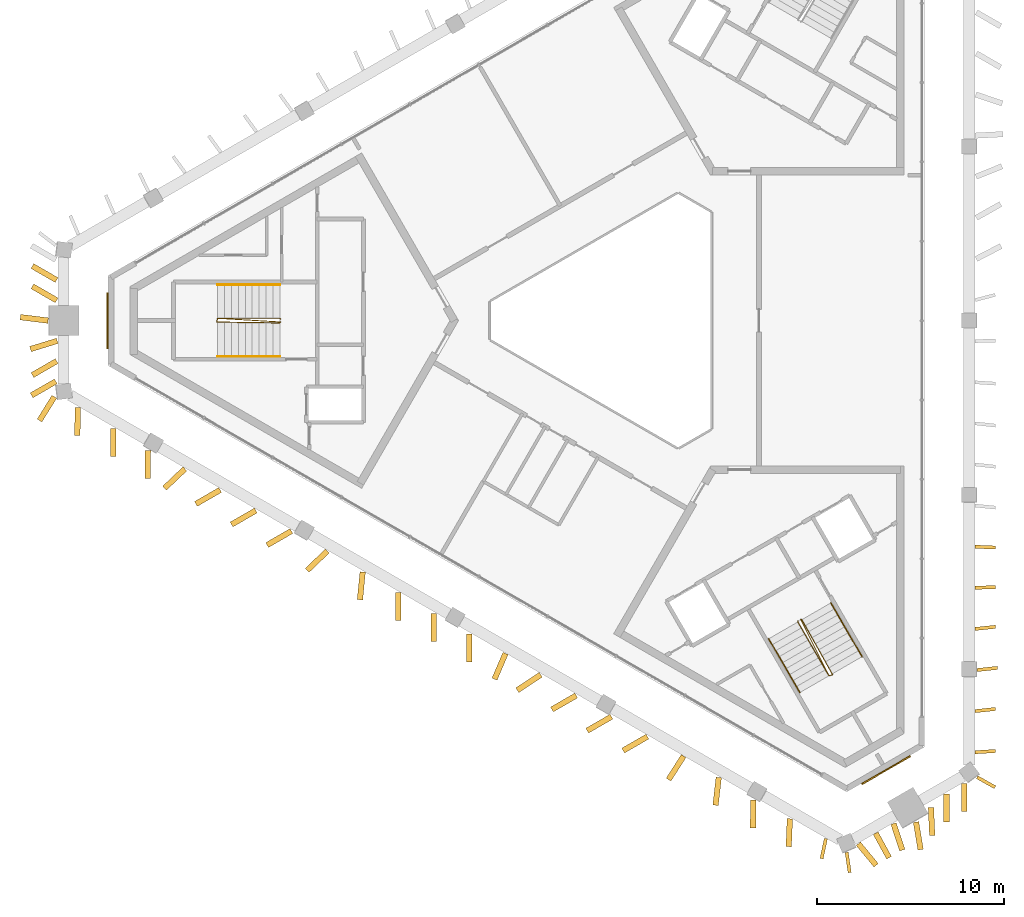
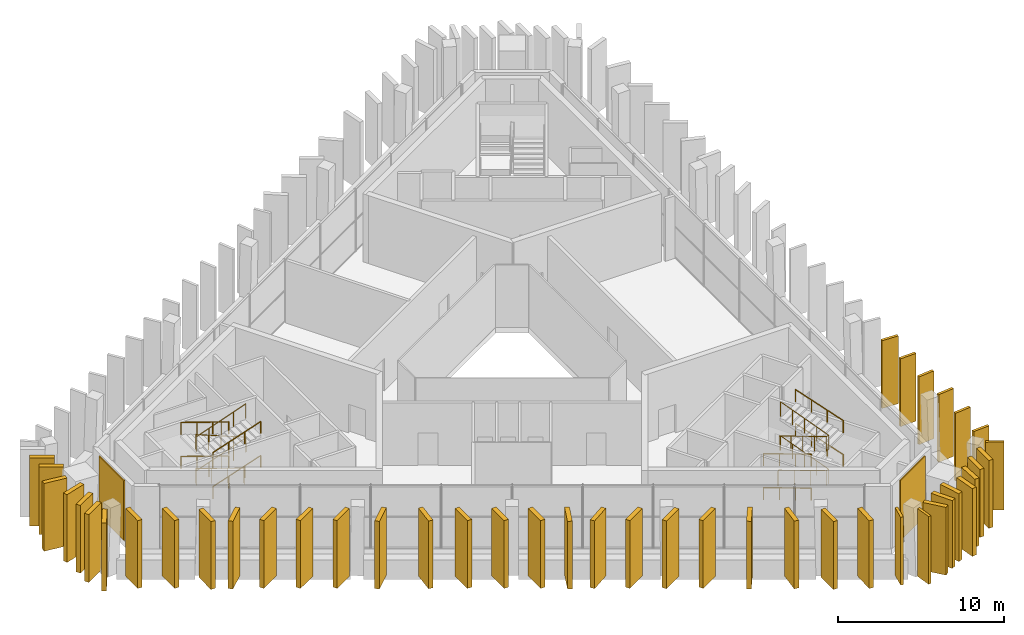
# One storey, part 12 of 13: 44 shading devices, 10 railings, 2 coverings.
"""IFC4 building model written with IfcOpenShell, lengths in metres."""

from ifc_helpers import new_model, si_unit, direction, frame, frame_2d, origin, origin_2d, place, context, subcontext, project, spatial, rectangle, circle, extrude, material, layer, layer_set, type_object, element, save


model = new_model("IFC4")

# Units and contexts
model_context = context("Model", 3, precision=1e-05, world=origin(), true_north=direction((0.0, 1.0)))
body_context = subcontext(model_context, "Body", "Model", "MODEL_VIEW")
ifc_project = project(units=[si_unit("LENGTHUNIT", "METRE"), si_unit("AREAUNIT", "SQUARE_METRE"), si_unit("VOLUMEUNIT", "CUBIC_METRE"), si_unit("PLANEANGLEUNIT", "RADIAN"), si_unit("MASSUNIT", "GRAM", prefix="KILO")], contexts=[model_context])

# Site, building, storey
site_placement = place(None, origin())
site = spatial("IfcSite", under=ifc_project, at=site_placement, CompositionType="ELEMENT")
building_placement = place(site_placement, origin())
building = spatial("IfcBuilding", under=site, at=building_placement, Name="Jabali Bay Hotel Tower and Convention Centre", CompositionType="ELEMENT")
storey_placement = place(building_placement, frame((0.0, 0.0, 310.800048828125)))
storey = spatial("IfcBuildingStorey", under=building, at=storey_placement, Name="L76", CompositionType="ELEMENT", Elevation=310.800048828125)

# Shading devices
ifc_material_1 = material(Name="Precast concrete C60", Category="concrete")
ifc_layer_1 = layer(ifc_material_1, 0.179931640625)
ifc_layer_set_1 = layer_set([ifc_layer_1], Name="Precast concrete C60")
shading_device_type_1 = type_object("IfcShadingDeviceType", Name="Precast fin 4980 x 1100", PredefinedType="USERDEFINED", material=ifc_layer_set_1)
for number, where, z_axis, x_axis, name in (
    (1, (93.678955078125, 56.865966796875, 0.010009765625), (0.0, 0.0, 1.0), (0.998121904891, 0.061258982822, 0.0), "Fin L76 000"),
    (2, (93.682861328125, 59.069091796875, 0.010009765625), (0.0, 0.0, 1.0), (0.994379470469, 0.105874778441, 0.0), "Fin L76 001"),
):
    element("IfcShadingDevice", number, at=place(storey_placement, frame(where, z_axis=z_axis, x_axis=x_axis)), inside=storey, type_object=shading_device_type_1, Name=name, ObjectType="FIN", PredefinedType="USERDEFINED", context=body_context, shape_type="SweptSolid", body=[
        extrude(rectangle(XDim=1.099853515625, YDim=0.179931640625, at=frame_2d((0.5498046875, 0.0))), origin(), (0.0, 0.0, 1.0), 4.97998046875),
    ])
shading_device_1_placement = place(storey_placement, frame((93.790283203125, 61.2724609375, 0.010009765625), z_axis=(0.0, 0.0, 1.0), x_axis=(0.994451817499, 0.105193073308, 0.0)))
element("IfcShadingDevice", 3, at=shading_device_1_placement, inside=storey, type_object=shading_device_type_1, Name="Fin L76 002", ObjectType="FIN", PredefinedType="USERDEFINED", context=body_context, shape_type="SweptSolid", body=[
    extrude(rectangle(XDim=1.10009765625, YDim=0.179931640625, at=frame_2d((0.550048828125, 0.0))), origin(), (0.0, 0.0, 1.0), 4.97998046875),
])
shading_device_2_placement = place(storey_placement, frame((93.6826171875, 63.4755859375, 0.010009765625), z_axis=(0.0, 0.0, 1.0), x_axis=(0.994546715274, 0.10429204734, 0.0)))
element("IfcShadingDevice", 4, at=shading_device_2_placement, inside=storey, type_object=shading_device_type_1, Name="Fin L76 003", ObjectType="FIN", PredefinedType="USERDEFINED", context=body_context, shape_type="SweptSolid", body=[
    extrude(rectangle(XDim=1.100341796875, YDim=0.179931640625, at=frame_2d((0.55029296875, 0.0))), origin(), (0.0, 0.0, 1.0), 4.97998046875),
])
for number, where, z_axis, x_axis, name in (
    (5, (93.676513671875, 65.678955078125, 0.010009765625), (0.0, 0.0, 1.0), (0.999392746978, 0.034844472857, 0.0), "Fin L76 004"),
    (6, (93.677001953125, 67.882080078125, 0.010009765625), (0.0, 0.0, 1.0), (0.999174868023, -0.040615060162, 0.0), "Fin L76 005"),
):
    element("IfcShadingDevice", number, at=place(storey_placement, frame(where, z_axis=z_axis, x_axis=x_axis)), inside=storey, type_object=shading_device_type_1, Name=name, ObjectType="FIN", PredefinedType="USERDEFINED", context=body_context, shape_type="SweptSolid", body=[
        extrude(rectangle(XDim=1.10009765625, YDim=0.179931640625, at=frame_2d((0.550048828125, 0.0))), origin(), (0.0, 0.0, 1.0), 4.97998046875),
    ])
shading_device_3_placement = place(storey_placement, frame((85.68408203125, 52.2373046875, 0.010009765625), z_axis=(0.0, 0.0, 1.0), x_axis=(-0.208862084523, -0.977945105642, 0.0)))
element("IfcShadingDevice", 7, at=shading_device_3_placement, inside=storey, type_object=shading_device_type_1, Name="Fin L76 079", ObjectType="FIN", PredefinedType="USERDEFINED", context=body_context, shape_type="SweptSolid", body=[
    extrude(rectangle(XDim=1.099853515625, YDim=0.179931640625, at=frame_2d((0.5498046875, 0.0))), origin(), (0.0, 0.0, 1.0), 4.97998046875),
])
for number, where, z_axis, x_axis, name in (
    (8, (93.79052734375, 55.52783203125, 0.010009765625), (0.0, 0.0, 1.0), (0.872929582471, -0.487846229919, 0.0), "Fin L76 087"),
    (9, (86.79833984375, 51.505859375, 0.010009765625), (0.0, 0.0, 1.0), (0.146701484248, -0.989180809822, 0.0), "Fin L76 092"),
):
    element("IfcShadingDevice", number, at=place(storey_placement, frame(where, z_axis=z_axis, x_axis=x_axis)), inside=storey, type_object=shading_device_type_1, Name=name, ObjectType="FIN", PredefinedType="USERDEFINED", context=body_context, shape_type="SweptSolid", body=[
        extrude(rectangle(XDim=1.10009765625, YDim=0.179931640625, at=frame_2d((0.550048828125, 0.0))), origin(), (0.0, 0.0, 1.0), 4.97998046875),
    ])
ifc_layer_2 = layer(ifc_material_1, 0.300048828125)
ifc_layer_set_2 = layer_set([ifc_layer_2], Name="Precast concrete C60")
shading_device_type_2 = type_object("IfcShadingDeviceType", Name="Precast fin 4980 x 1500", PredefinedType="USERDEFINED", material=ifc_layer_set_2)
for number, where, z_axis, x_axis, name in (
    (10, (44.458984375, 82.171630859375, 0.010009765625), (0.0, 0.0, 1.0), (-0.866031096941, 0.499990139034, 0.0), "Fin L76 052"),
    (11, (44.458984375, 81.0859375, 0.010009765625), (0.0, 0.0, 1.0), (-0.866031096941, 0.499990139034, 0.0), "Fin L76 053"),
    (12, (44.002685546875, 80.0, 0.010009765625), (0.0, 0.0, 1.0), (-0.992360289557, 0.123373642691, 0.0), "Fin L76 054"),
    (13, (44.489990234375, 78.9140625, 0.010009765625), (0.0, 0.0, 1.0), (-0.956025005873, -0.293285165234, 0.0), "Fin L76 055"),
    (14, (44.458984375, 77.828369140625, 0.010009765625), (0.0, 0.0, 1.0), (-0.866031096941, -0.499990139034, 0.0), "Fin L76 056"),
    (15, (44.413818359375, 76.742431640625, 0.010009765625), (0.0, 0.0, 1.0), (-0.866031096941, -0.499990139034, 0.0), "Fin L76 057"),
):
    element("IfcShadingDevice", number, at=place(storey_placement, frame(where, z_axis=z_axis, x_axis=x_axis)), inside=storey, type_object=shading_device_type_2, Name=name, ObjectType="FIN", PredefinedType="USERDEFINED", context=body_context, shape_type="SweptSolid", body=[
        extrude(rectangle(XDim=1.5, YDim=0.300048828125, at=frame_2d((0.75, 0.0))), origin(), (0.0, 0.0, 1.0), 4.97998046875),
    ])
shading_device_4_placement = place(storey_placement, frame((45.592041015625, 75.332275390625, 0.010009765625), z_axis=(0.0, 0.0, 1.0), x_axis=(-0.015134984983, -0.999885459555, 0.0)))
element("IfcShadingDevice", 16, at=shading_device_4_placement, inside=storey, type_object=shading_device_type_2, Name="Fin L76 058", ObjectType="FIN", PredefinedType="USERDEFINED", context=body_context, shape_type="SweptSolid", body=[
    extrude(rectangle(XDim=1.500244140625, YDim=0.300048828125, at=frame_2d((0.75, 0.0))), origin(), (0.0, 0.0, 1.0), 4.97998046875),
])
shading_device_5_placement = place(storey_placement, frame((47.499267578125, 74.229248046875, 0.010009765625), z_axis=(0.0, 0.0, 1.0), x_axis=(-0.002929674927, -0.999995708493, 0.0)))
element("IfcShadingDevice", 17, at=shading_device_5_placement, inside=storey, type_object=shading_device_type_2, Name="Fin L76 059", ObjectType="FIN", PredefinedType="USERDEFINED", context=body_context, shape_type="SweptSolid", body=[
    extrude(rectangle(XDim=1.5, YDim=0.300048828125, at=frame_2d((0.75, 0.0))), origin(), (0.0, 0.0, 1.0), 4.97998046875),
])
shading_device_6_placement = place(storey_placement, frame((49.3544921875, 73.035888671875, 0.010009765625), z_axis=(0.0, 0.0, 1.0), x_axis=(-0.014484157523, -0.999895099088, 0.0)))
element("IfcShadingDevice", 18, at=shading_device_6_placement, inside=storey, type_object=shading_device_type_2, Name="Fin L76 060", ObjectType="FIN", PredefinedType="USERDEFINED", context=body_context, shape_type="SweptSolid", body=[
    extrude(rectangle(XDim=1.500244140625, YDim=0.300048828125, at=frame_2d((0.75, 0.0))), origin(), (0.0, 0.0, 1.0), 4.97998046875),
])
for number, where, z_axis, x_axis, name in (
    (19, (51.33154296875, 72.053955078125, 0.010009765625), (0.0, 0.0, 1.0), (-0.724149543308, -0.689642979321, 0.0), "Fin L76 061"),
    (20, (53.223388671875, 70.924072265625, 0.010009765625), (0.0, 0.0, 1.0), (-0.866031096941, -0.499990139034, 0.0), "Fin L76 062"),
):
    element("IfcShadingDevice", number, at=place(storey_placement, frame(where, z_axis=z_axis, x_axis=x_axis)), inside=storey, type_object=shading_device_type_2, Name=name, ObjectType="FIN", PredefinedType="USERDEFINED", context=body_context, shape_type="SweptSolid", body=[
        extrude(rectangle(XDim=1.5, YDim=0.300048828125, at=frame_2d((0.75, 0.0))), origin(), (0.0, 0.0, 1.0), 4.97998046875),
    ])
shading_device_7_placement = place(storey_placement, frame((55.13134765625, 69.822265625, 0.010009765625), z_axis=(0.0, 0.0, 1.0), x_axis=(-0.86599040064, -0.500060622324, 0.0)))
element("IfcShadingDevice", 21, at=shading_device_7_placement, inside=storey, type_object=shading_device_type_2, Name="Fin L76 063", ObjectType="FIN", PredefinedType="USERDEFINED", context=body_context, shape_type="SweptSolid", body=[
    extrude(rectangle(XDim=1.499755859375, YDim=0.300048828125, at=frame_2d((0.75, 0.0))), origin(), (0.0, 0.0, 1.0), 4.97998046875),
])
for number, where, z_axis, x_axis, name in (
    (22, (57.03955078125, 68.720703125, 0.010009765625), (0.0, 0.0, 1.0), (-0.866031096941, -0.499990139034, 0.0), "Fin L76 064"),
    (23, (58.964111328125, 67.647705078125, 0.010009765625), (0.0, 0.0, 1.0), (-0.722638322449, -0.691226341315, 0.0), "Fin L76 065"),
    (24, (60.8623046875, 66.52880859375, 0.010009765625), (0.0, 0.0, 1.0), (-0.098633470952, -0.99512383069, 0.0), "Fin L76 066"),
    (25, (62.763671875, 65.415771484375, 0.010009765625), (0.0, 0.0, 1.0), (0.0, -1.0, 0.0), "Fin L76 067"),
    (26, (64.671875, 64.314208984375, 0.010009765625), (0.0, 0.0, 1.0), (0.0, -1.0, 0.0), "Fin L76 068"),
    (27, (66.579833984375, 63.212646484375, 0.010009765625), (0.0, 0.0, 1.0), (0.0, -1.0, 0.0), "Fin L76 069"),
):
    element("IfcShadingDevice", number, at=place(storey_placement, frame(where, z_axis=z_axis, x_axis=x_axis)), inside=storey, type_object=shading_device_type_2, Name=name, ObjectType="FIN", PredefinedType="USERDEFINED", context=body_context, shape_type="SweptSolid", body=[
        extrude(rectangle(XDim=1.5, YDim=0.300048828125, at=frame_2d((0.75, 0.0))), origin(), (0.0, 0.0, 1.0), 4.97998046875),
    ])
shading_device_8_placement = place(storey_placement, frame((68.5166015625, 62.16064453125, 0.010009765625), z_axis=(0.0, 0.0, 1.0), x_axis=(-0.393840731021, -0.919178697854, 0.0)))
element("IfcShadingDevice", 28, at=shading_device_8_placement, inside=storey, type_object=shading_device_type_2, Name="Fin L76 070", ObjectType="FIN", PredefinedType="USERDEFINED", context=body_context, shape_type="SweptSolid", body=[
    extrude(rectangle(XDim=1.500244140625, YDim=0.300048828125, at=frame_2d((0.75, 0.0))), origin(), (0.0, 0.0, 1.0), 4.97998046875),
])
for number, where, z_axis, x_axis, name in (
    (29, (70.39990234375, 61.01611328125, 0.010009765625), (0.0, 0.0, 1.0), (-0.835043187764, -0.550184400515, 0.0), "Fin L76 071"),
    (30, (72.303955078125, 59.90771484375, 0.010009765625), (0.0, 0.0, 1.0), (-0.86599040064, -0.500060622324, 0.0), "Fin L76 072"),
):
    element("IfcShadingDevice", number, at=place(storey_placement, frame(where, z_axis=z_axis, x_axis=x_axis)), inside=storey, type_object=shading_device_type_2, Name=name, ObjectType="FIN", PredefinedType="USERDEFINED", context=body_context, shape_type="SweptSolid", body=[
        extrude(rectangle(XDim=1.499755859375, YDim=0.300048828125, at=frame_2d((0.75, 0.0))), origin(), (0.0, 0.0, 1.0), 4.97998046875),
    ])
for number, where, z_axis, x_axis, name in (
    (31, (74.192626953125, 58.772216796875, 0.010009765625), (0.0, 0.0, 1.0), (-0.866031096941, -0.499990139034, 0.0), "Fin L76 073"),
    (32, (76.1201171875, 57.70458984375, 0.010009765625), (0.0, 0.0, 1.0), (-0.865919906206, -0.500182682664, 0.0), "Fin L76 074"),
    (33, (78.0625, 56.662109375, 0.010009765625), (0.0, 0.0, 1.0), (-0.538370014746, -0.842708566008, 0.0), "Fin L76 075"),
    (34, (79.944091796875, 55.5146484375, 0.010009765625), (0.0, 0.0, 1.0), (-0.114414073255, -0.993433148149, 0.0), "Fin L76 076"),
    (35, (81.791259765625, 54.3076171875, 0.010009765625), (0.0, 0.0, 1.0), (-0.008625981146, -0.999962795533, 0.0), "Fin L76 077"),
    (36, (83.755126953125, 53.302734375, 0.010009765625), (0.0, 0.0, 1.0), (-0.040852006401, -0.999165208348, 0.0), "Fin L76 078"),
):
    element("IfcShadingDevice", number, at=place(storey_placement, frame(where, z_axis=z_axis, x_axis=x_axis)), inside=storey, type_object=shading_device_type_2, Name=name, ObjectType="FIN", PredefinedType="USERDEFINED", context=body_context, shape_type="SweptSolid", body=[
        extrude(rectangle(XDim=1.5, YDim=0.300048828125, at=frame_2d((0.75, 0.0))), origin(), (0.0, 0.0, 1.0), 4.97998046875),
    ])
shading_device_9_placement = place(storey_placement, frame((87.42431640625, 51.96533203125, 0.010009765625), z_axis=(0.0, 0.0, 1.0), x_axis=(0.636140782697, -0.771573006649, 0.0)))
element("IfcShadingDevice", 37, at=shading_device_9_placement, inside=storey, type_object=shading_device_type_2, Name="Fin L76 080", ObjectType="FIN", PredefinedType="USERDEFINED", context=body_context, shape_type="SweptSolid", body=[
    extrude(rectangle(XDim=1.499755859375, YDim=0.300048828125, at=frame_2d((0.75, 0.0))), origin(), (0.0, 0.0, 1.0), 4.97998046875),
])
for number, where, z_axis, x_axis, name in (
    (38, (88.35400390625, 52.526611328125, 0.010009765625), (0.0, 0.0, 1.0), (0.479342423906, -0.877627962547, 0.0), "Fin L76 081"),
    (39, (89.307861328125, 53.046630859375, 0.010009765625), (0.0, 0.0, 1.0), (0.314615981263, -0.949219039176, 0.0), "Fin L76 082"),
    (40, (90.515625, 53.1259765625, 0.010009765625), (0.0, 0.0, 1.0), (0.163897494888, -0.98647737489, 0.0), "Fin L76 083"),
    (41, (91.317138671875, 53.909423828125, 0.010009765625), (0.0, 0.0, 1.0), (0.04459553666, -0.999005124166, 0.0), "Fin L76 084"),
    (42, (92.1513671875, 54.63671875, 0.010009765625), (0.0, 0.0, 1.0), (0.0, -1.0, 0.0), "Fin L76 085"),
    (43, (93.091552734375, 55.179443359375, 0.010009765625), (0.0, 0.0, 1.0), (0.0, -1.0, 0.0), "Fin L76 086"),
    (44, (44.335693359375, 75.91943359375, 0.010009765625), (0.0, 0.0, 1.0), (-0.528359252866, -0.849020906639, 0.0), "Fin L76 091"),
):
    element("IfcShadingDevice", number, at=place(storey_placement, frame(where, z_axis=z_axis, x_axis=x_axis)), inside=storey, type_object=shading_device_type_2, Name=name, ObjectType="FIN", PredefinedType="USERDEFINED", context=body_context, shape_type="SweptSolid", body=[
        extrude(rectangle(XDim=1.5, YDim=0.300048828125, at=frame_2d((0.75, 0.0))), origin(), (0.0, 0.0, 1.0), 4.97998046875),
    ])

# Coverings
ifc_material_2 = material(Name="Precast concrete C40/50", Category="concrete")
ifc_layer_3 = layer(ifc_material_2, 0.080078125)
ifc_layer_set_3 = layer_set([ifc_layer_3], Name="Precast concrete C40/50")
covering_type = type_object("IfcCoveringType", Name="Relief panel 3000 x 4400", PredefinedType="CLADDING", material=ifc_layer_set_3)
for number, where, z_axis, x_axis, name in (
    (45, (47.180908203125, 80.0, 0.10009765625), (0.0, 0.0, 1.0), (0.0, 1.0, 0.0), "Relief panel L76"),
    (46, (88.90966796875, 55.907958984375, 0.10009765625), (0.0, 0.0, 1.0), (-0.866025390031, -0.500000023821, 0.0), "Relief panel L76"),
):
    element("IfcCovering", number, at=place(storey_placement, frame(where, z_axis=z_axis, x_axis=x_axis)), inside=storey, type_object=covering_type, Name=name, PredefinedType="CLADDING", context=body_context, shape_type="SweptSolid", body=[
        extrude(rectangle(XDim=3.0, YDim=0.080078125, at=origin_2d()), origin(), (0.0, 0.0, 1.0), 4.39990234375),
    ])

# Railings
ifc_material_3 = material(Name="Steel Q355B", Category="steel")
railing_type_1 = type_object("IfcRailingType", Name="Stair guard 1100", PredefinedType="GUARDRAIL", material=ifc_material_3)
railing_1_placement = place(storey_placement, frame((56.469970703125, 80.074951171875, 0.0)))
element("IfcRailing", 47, at=railing_1_placement, inside=storey, type_object=railing_type_1, Name="L76 ST1 stair guard 1", PredefinedType="GUARDRAIL", context=body_context, shape_type="SweptSolid", body=[
    extrude(circle(Radius=0.02392578125, at=origin_2d()), frame((0.0, 0.0, 1.076171875), z_axis=(-0.34841279274, 0.34841279274, 0.870182194549), x_axis=(-0.707106781187, -0.707106781187, 0.0)), (0.0, 0.0, 1.0), 0.1435546875),
    extrude(circle(Radius=0.02392578125, at=origin_2d()), frame((-0.050048828125, 0.050048828125, 1.201171875), z_axis=(-0.947390420465, 0.0, 0.320080288694), x_axis=(0.0, -1.0, 0.0)), (0.0, 0.0, 1.0), 3.5146484375),
    extrude(circle(Radius=0.02392578125, at=origin_2d()), frame((-3.3798828125, 0.050048828125, 2.326171875), z_axis=(-0.242814311512, -0.970072785993, 0.0), x_axis=(0.970072785993, -0.242814311512, 0.0)), (0.0, 0.0, 1.0), 0.2060546875),
    extrude(circle(Radius=0.02392578125, at=origin_2d()), frame((-3.429931640625, -0.14990234375, 2.326171875), z_axis=(0.937821659868, -0.013887130907, 0.346839562158), x_axis=(0.014806235788, 0.999890381683, 0.0)), (0.0, 0.0, 1.0), 3.60400390625),
    extrude(circle(Radius=0.02392578125, at=origin_2d()), frame((-0.050048828125, -0.199951171875, 3.576171875), z_axis=(0.707106781187, 0.707106781187, 0.0), x_axis=(-0.707106781187, 0.707106781187, 0.0)), (0.0, 0.0, 1.0), 0.07080078125),
    extrude(circle(Radius=0.02392578125, at=origin_2d()), frame((0.0, -0.14990234375, 3.576171875), z_axis=(-0.93647164865, 0.055400915938, 0.346340280344), x_axis=(-0.059055950465, -0.998254674276, 0.0)), (0.0, 0.0, 1.0), 3.609130859375),
    extrude(circle(Radius=0.02392578125, at=origin_2d()), frame((-3.3798828125, 0.050048828125, 4.826171875), z_axis=(-0.242814311512, -0.970072785993, 0.0), x_axis=(0.970072785993, -0.242814311512, 0.0)), (0.0, 0.0, 1.0), 0.2060546875),
    extrude(circle(Radius=0.02392578125, at=origin_2d()), frame((-3.429931640625, -0.14990234375, 4.826171875), z_axis=(0.937821659868, -0.013887130907, 0.346839562158), x_axis=(0.014806235788, 0.999890381683, 0.0)), (0.0, 0.0, 1.0), 3.60400390625),
    extrude(circle(Radius=0.02099609375, at=origin_2d()), origin(), (0.0, 0.0, 1.0), 1.052001953125),
    extrude(circle(Radius=0.02099609375, at=origin_2d()), frame((-0.050048828125, 0.050048828125, 0.125)), (0.0, 0.0, 1.0), 1.052001953125),
    extrude(circle(Radius=0.02099609375, at=origin_2d()), frame((-1.159912109375, 0.050048828125, 0.5)), (0.0, 0.0, 1.0), 1.052001953125),
    extrude(circle(Radius=0.02099609375, at=origin_2d()), frame((-2.27001953125, 0.050048828125, 0.875)), (0.0, 0.0, 1.0), 1.052001953125),
    extrude(circle(Radius=0.02099609375, at=origin_2d()), frame((-3.3798828125, 0.050048828125, 1.25)), (0.0, 0.0, 1.0), 1.052001953125),
    extrude(circle(Radius=0.02099609375, at=origin_2d()), frame((-3.429931640625, -0.14990234375, 1.25)), (0.0, 0.0, 1.0), 1.052001953125),
    extrude(circle(Radius=0.02099609375, at=origin_2d()), frame((-2.5849609375, -0.162353515625, 1.5625)), (0.0, 0.0, 1.0), 1.052001953125),
    extrude(circle(Radius=0.02099609375, at=origin_2d()), frame((-1.739990234375, -0.1748046875, 1.875)), (0.0, 0.0, 1.0), 1.052001953125),
    extrude(circle(Radius=0.02099609375, at=origin_2d()), frame((-0.89501953125, -0.1875, 2.1875)), (0.0, 0.0, 1.0), 1.052001953125),
    extrude(circle(Radius=0.02099609375, at=origin_2d()), frame((-0.050048828125, -0.199951171875, 2.5)), (0.0, 0.0, 1.0), 1.052001953125),
    extrude(circle(Radius=0.02099609375, at=origin_2d()), frame((0.0, -0.14990234375, 2.5)), (0.0, 0.0, 1.0), 1.052001953125),
    extrude(circle(Radius=0.02099609375, at=origin_2d()), frame((-0.844970703125, -0.099853515625, 2.8125)), (0.0, 0.0, 1.0), 1.052001953125),
    extrude(circle(Radius=0.02099609375, at=origin_2d()), frame((-1.68994140625, -0.0498046875, 3.125)), (0.0, 0.0, 1.0), 1.052001953125),
    extrude(circle(Radius=0.02099609375, at=origin_2d()), frame((-2.534912109375, 0.0, 3.4375)), (0.0, 0.0, 1.0), 1.052001953125),
    extrude(circle(Radius=0.02099609375, at=origin_2d()), frame((-3.3798828125, 0.050048828125, 3.75)), (0.0, 0.0, 1.0), 1.052001953125),
    extrude(circle(Radius=0.02099609375, at=origin_2d()), frame((-3.429931640625, -0.14990234375, 3.75)), (0.0, 0.0, 1.0), 1.052001953125),
    extrude(circle(Radius=0.02099609375, at=origin_2d()), frame((-2.5849609375, -0.162353515625, 4.0625)), (0.0, 0.0, 1.0), 1.052001953125),
    extrude(circle(Radius=0.02099609375, at=origin_2d()), frame((-1.739990234375, -0.1748046875, 4.375)), (0.0, 0.0, 1.0), 1.052001953125),
    extrude(circle(Radius=0.02099609375, at=origin_2d()), frame((-0.89501953125, -0.1875, 4.6875)), (0.0, 0.0, 1.0), 1.052001953125),
    extrude(circle(Radius=0.02099609375, at=origin_2d()), frame((-0.050048828125, -0.199951171875, 5.0)), (0.0, 0.0, 1.0), 1.052001953125),
])
railing_2_placement = place(storey_placement, frame((84.199951171875, 63.9150390625, 0.0)))
element("IfcRailing", 48, at=railing_2_placement, inside=storey, type_object=railing_type_1, Name="L76 ST3 stair guard 1", PredefinedType="GUARDRAIL", context=body_context, shape_type="SweptSolid", body=[
    extrude(circle(Radius=0.02392578125, at=origin_2d()), frame((0.0, 0.0, 1.076171875), z_axis=(-0.127472697635, -0.475898071169, 0.870213615852), x_axis=(0.965948051503, -0.258736085224, 0.0)), (0.0, 0.0, 1.0), 0.1435546875),
    extrude(circle(Radius=0.02392578125, at=origin_2d()), frame((-0.018310546875, -0.068359375, 1.201171875), z_axis=(0.473714601276, -0.820457019102, 0.320069924147), x_axis=(0.866014653411, 0.500018619731, 0.0)), (0.0, 0.0, 1.0), 3.514892578125),
    extrude(circle(Radius=0.02392578125, at=origin_2d()), frame((1.646728515625, -2.9521484375, 2.326171875), z_axis=(0.961523947641, 0.274721127897, 0.0), x_axis=(-0.274721127897, 0.961523947641, 0.0)), (0.0, 0.0, 1.0), 0.2060546875),
    extrude(circle(Radius=0.02392578125, at=origin_2d()), frame((1.844970703125, -2.8955078125, 2.326171875), z_axis=(-0.456906715079, 0.819112824127, 0.346829115079), x_axis=(-0.873321331712, -0.48714459001, 0.0)), (0.0, 0.0, 1.0), 3.60400390625),
    extrude(circle(Radius=0.02392578125, at=origin_2d()), frame((0.1982421875, 0.056640625, 3.576171875), z_axis=(-0.965948051503, 0.258736085224, 0.0), x_axis=(-0.258736085224, -0.965948051503, 0.0)), (0.0, 0.0, 1.0), 0.07080078125),
    extrude(circle(Radius=0.02392578125, at=origin_2d()), frame((0.1298828125, 0.074951171875, 3.576171875), z_axis=(0.420266704409, -0.838707044579, 0.346332774276), x_axis=(0.894037481687, 0.447992166604, 0.0)), (0.0, 0.0, 1.0), 3.609130859375),
    extrude(circle(Radius=0.02392578125, at=origin_2d()), frame((1.646728515625, -2.9521484375, 4.826171875), z_axis=(0.961523947641, 0.274721127897, 0.0), x_axis=(-0.274721127897, 0.961523947641, 0.0)), (0.0, 0.0, 1.0), 0.2060546875),
    extrude(circle(Radius=0.02392578125, at=origin_2d()), frame((1.844970703125, -2.8955078125, 4.826171875), z_axis=(-0.456906715079, 0.819112824127, 0.346829115079), x_axis=(-0.873321331712, -0.48714459001, 0.0)), (0.0, 0.0, 1.0), 3.60400390625),
    extrude(circle(Radius=0.02099609375, at=origin_2d()), origin(), (0.0, 0.0, 1.0), 1.052001953125),
    extrude(circle(Radius=0.02099609375, at=origin_2d()), frame((-0.018310546875, -0.068359375, 0.125)), (0.0, 0.0, 1.0), 1.052001953125),
    extrude(circle(Radius=0.02099609375, at=origin_2d()), frame((0.53662109375, -1.029541015625, 0.5)), (0.0, 0.0, 1.0), 1.052001953125),
    extrude(circle(Radius=0.02099609375, at=origin_2d()), frame((1.091796875, -1.990966796875, 0.875)), (0.0, 0.0, 1.0), 1.052001953125),
    extrude(circle(Radius=0.02099609375, at=origin_2d()), frame((1.646728515625, -2.9521484375, 1.25)), (0.0, 0.0, 1.0), 1.052001953125),
    extrude(circle(Radius=0.02099609375, at=origin_2d()), frame((1.844970703125, -2.8955078125, 1.25)), (0.0, 0.0, 1.0), 1.052001953125),
    extrude(circle(Radius=0.02099609375, at=origin_2d()), frame((1.433349609375, -2.157470703125, 1.5625)), (0.0, 0.0, 1.0), 1.052001953125),
    extrude(circle(Radius=0.02099609375, at=origin_2d()), frame((1.021484375, -1.41943359375, 1.875)), (0.0, 0.0, 1.0), 1.052001953125),
    extrude(circle(Radius=0.02099609375, at=origin_2d()), frame((0.60986328125, -0.681396484375, 2.1875)), (0.0, 0.0, 1.0), 1.052001953125),
    extrude(circle(Radius=0.02099609375, at=origin_2d()), frame((0.1982421875, 0.056640625, 2.5)), (0.0, 0.0, 1.0), 1.052001953125),
    extrude(circle(Radius=0.02099609375, at=origin_2d()), frame((0.1298828125, 0.074951171875, 2.5)), (0.0, 0.0, 1.0), 1.052001953125),
    extrude(circle(Radius=0.02099609375, at=origin_2d()), frame((0.509033203125, -0.681884765625, 2.8125)), (0.0, 0.0, 1.0), 1.052001953125),
    extrude(circle(Radius=0.02099609375, at=origin_2d()), frame((0.88818359375, -1.4384765625, 3.125)), (0.0, 0.0, 1.0), 1.052001953125),
    extrude(circle(Radius=0.02099609375, at=origin_2d()), frame((1.267578125, -2.1953125, 3.4375)), (0.0, 0.0, 1.0), 1.052001953125),
    extrude(circle(Radius=0.02099609375, at=origin_2d()), frame((1.646728515625, -2.9521484375, 3.75)), (0.0, 0.0, 1.0), 1.052001953125),
    extrude(circle(Radius=0.02099609375, at=origin_2d()), frame((1.844970703125, -2.8955078125, 3.75)), (0.0, 0.0, 1.0), 1.052001953125),
    extrude(circle(Radius=0.02099609375, at=origin_2d()), frame((1.433349609375, -2.157470703125, 4.0625)), (0.0, 0.0, 1.0), 1.052001953125),
    extrude(circle(Radius=0.02099609375, at=origin_2d()), frame((1.021484375, -1.41943359375, 4.375)), (0.0, 0.0, 1.0), 1.052001953125),
    extrude(circle(Radius=0.02099609375, at=origin_2d()), frame((0.60986328125, -0.681396484375, 4.6875)), (0.0, 0.0, 1.0), 1.052001953125),
    extrude(circle(Radius=0.02099609375, at=origin_2d()), frame((0.1982421875, 0.056640625, 5.0)), (0.0, 0.0, 1.0), 1.052001953125),
])
railing_type_2 = type_object("IfcRailingType", Name="Stair handrail 900", PredefinedType="HANDRAIL", material=ifc_material_3)
railing_3_placement = place(storey_placement, frame((56.419921875, 81.925048828125, 0.125)))
element("IfcRailing", 49, at=railing_3_placement, inside=storey, type_object=railing_type_2, Name="L76 ST1 stair handrail 1", PredefinedType="HANDRAIL", context=body_context, shape_type="SweptSolid", body=[
    extrude(circle(Radius=0.02392578125, at=origin_2d()), frame((0.0, 0.0, 0.8759765625), z_axis=(-0.947390420465, 0.0, 0.320080288694), x_axis=(0.0, -1.0, 0.0)), (0.0, 0.0, 1.0), 3.5146484375),
    extrude(circle(Radius=0.02099609375, at=origin_2d()), origin(), (0.0, 0.0, 1.0), 0.851806640625),
    extrude(circle(Radius=0.02099609375, at=origin_2d()), frame((-1.10986328125, 0.0, 0.375)), (0.0, 0.0, 1.0), 0.851806640625),
    extrude(circle(Radius=0.02099609375, at=origin_2d()), frame((-2.219970703125, 0.0, 0.75)), (0.0, 0.0, 1.0), 0.851806640625),
    extrude(circle(Radius=0.02099609375, at=origin_2d()), frame((-3.329833984375, 0.0, 1.125)), (0.0, 0.0, 1.0), 0.851806640625),
])
railing_4_placement = place(storey_placement, frame((53.090087890625, 78.074951171875, 1.375)))
element("IfcRailing", 50, at=railing_4_placement, inside=storey, type_object=railing_type_2, Name="L76 ST1 stair handrail 2", PredefinedType="HANDRAIL", context=body_context, shape_type="SweptSolid", body=[
    extrude(circle(Radius=0.02392578125, at=origin_2d()), frame((0.0, 0.0, 0.8759765625), z_axis=(0.947390420465, 0.0, 0.320080288694), x_axis=(0.0, 1.0, 0.0)), (0.0, 0.0, 1.0), 3.5146484375),
    extrude(circle(Radius=0.02099609375, at=origin_2d()), origin(), (0.0, 0.0, 1.0), 0.851806640625),
    extrude(circle(Radius=0.02099609375, at=origin_2d()), frame((1.10986328125, 0.0, 0.375)), (0.0, 0.0, 1.0), 0.851806640625),
    extrude(circle(Radius=0.02099609375, at=origin_2d()), frame((2.219970703125, 0.0, 0.75)), (0.0, 0.0, 1.0), 0.851806640625),
    extrude(circle(Radius=0.02099609375, at=origin_2d()), frame((3.329833984375, 0.0, 1.125)), (0.0, 0.0, 1.0), 0.851806640625),
])
railing_5_placement = place(storey_placement, frame((56.419921875, 81.925048828125, 2.625)))
element("IfcRailing", 51, at=railing_5_placement, inside=storey, type_object=railing_type_2, Name="L76 ST1 stair handrail 3", PredefinedType="HANDRAIL", context=body_context, shape_type="SweptSolid", body=[
    extrude(circle(Radius=0.02392578125, at=origin_2d()), frame((0.0, 0.0, 0.8759765625), z_axis=(-0.947390420465, 0.0, 0.320080288694), x_axis=(0.0, -1.0, 0.0)), (0.0, 0.0, 1.0), 3.5146484375),
    extrude(circle(Radius=0.02099609375, at=origin_2d()), origin(), (0.0, 0.0, 1.0), 0.851806640625),
    extrude(circle(Radius=0.02099609375, at=origin_2d()), frame((-1.10986328125, 0.0, 0.375)), (0.0, 0.0, 1.0), 0.851806640625),
    extrude(circle(Radius=0.02099609375, at=origin_2d()), frame((-2.219970703125, 0.0, 0.75)), (0.0, 0.0, 1.0), 0.851806640625),
    extrude(circle(Radius=0.02099609375, at=origin_2d()), frame((-3.329833984375, 0.0, 1.125)), (0.0, 0.0, 1.0), 0.851806640625),
])
railing_6_placement = place(storey_placement, frame((53.090087890625, 78.074951171875, 3.875)))
element("IfcRailing", 52, at=railing_6_placement, inside=storey, type_object=railing_type_2, Name="L76 ST1 stair handrail 4", PredefinedType="HANDRAIL", context=body_context, shape_type="SweptSolid", body=[
    extrude(circle(Radius=0.02392578125, at=origin_2d()), frame((0.0, 0.0, 0.8759765625), z_axis=(0.947390420465, 0.0, 0.320080288694), x_axis=(0.0, 1.0, 0.0)), (0.0, 0.0, 1.0), 3.5146484375),
    extrude(circle(Radius=0.02099609375, at=origin_2d()), origin(), (0.0, 0.0, 1.0), 0.851806640625),
    extrude(circle(Radius=0.02099609375, at=origin_2d()), frame((1.10986328125, 0.0, 0.375)), (0.0, 0.0, 1.0), 0.851806640625),
    extrude(circle(Radius=0.02099609375, at=origin_2d()), frame((2.219970703125, 0.0, 0.75)), (0.0, 0.0, 1.0), 0.851806640625),
    extrude(circle(Radius=0.02099609375, at=origin_2d()), frame((3.329833984375, 0.0, 1.125)), (0.0, 0.0, 1.0), 0.851806640625),
])
railing_7_placement = place(storey_placement, frame((82.622802734375, 62.94677734375, 0.125)))
element("IfcRailing", 53, at=railing_7_placement, inside=storey, type_object=railing_type_2, Name="L76 ST3 stair handrail 1", PredefinedType="HANDRAIL", context=body_context, shape_type="SweptSolid", body=[
    extrude(circle(Radius=0.02392578125, at=origin_2d()), frame((0.0, 0.0, 0.8759765625), z_axis=(0.473714601276, -0.820457019102, 0.320069924147), x_axis=(0.866014653411, 0.500018619731, 0.0)), (0.0, 0.0, 1.0), 3.514892578125),
    extrude(circle(Radius=0.02099609375, at=origin_2d()), origin(), (0.0, 0.0, 1.0), 0.851806640625),
    extrude(circle(Radius=0.02099609375, at=origin_2d()), frame((0.554931640625, -0.961181640625, 0.375)), (0.0, 0.0, 1.0), 0.851806640625),
    extrude(circle(Radius=0.02099609375, at=origin_2d()), frame((1.110107421875, -1.922607421875, 0.75)), (0.0, 0.0, 1.0), 0.851806640625),
    extrude(circle(Radius=0.02099609375, at=origin_2d()), frame((1.6650390625, -2.8837890625, 1.125)), (0.0, 0.0, 1.0), 0.851806640625),
])
railing_8_placement = place(storey_placement, frame((87.6220703125, 61.98779296875, 1.375)))
element("IfcRailing", 54, at=railing_8_placement, inside=storey, type_object=railing_type_2, Name="L76 ST3 stair handrail 2", PredefinedType="HANDRAIL", context=body_context, shape_type="SweptSolid", body=[
    extrude(circle(Radius=0.02392578125, at=origin_2d()), frame((0.0, 0.0, 0.8759765625), z_axis=(-0.473687606094, 0.820479720058, 0.320051684587), x_axis=(-0.866032982159, -0.499986873641, 0.0)), (0.0, 0.0, 1.0), 3.51513671875),
    extrude(circle(Radius=0.02099609375, at=origin_2d()), origin(), (0.0, 0.0, 1.0), 0.851806640625),
    extrude(circle(Radius=0.02099609375, at=origin_2d()), frame((-0.554931640625, 0.96142578125, 0.375)), (0.0, 0.0, 1.0), 0.851806640625),
    extrude(circle(Radius=0.02099609375, at=origin_2d()), frame((-1.110107421875, 1.922607421875, 0.75)), (0.0, 0.0, 1.0), 0.851806640625),
    extrude(circle(Radius=0.02099609375, at=origin_2d()), frame((-1.6650390625, 2.884033203125, 1.125)), (0.0, 0.0, 1.0), 0.851806640625),
])
railing_9_placement = place(storey_placement, frame((82.622802734375, 62.94677734375, 2.625)))
element("IfcRailing", 55, at=railing_9_placement, inside=storey, type_object=railing_type_2, Name="L76 ST3 stair handrail 3", PredefinedType="HANDRAIL", context=body_context, shape_type="SweptSolid", body=[
    extrude(circle(Radius=0.02392578125, at=origin_2d()), frame((0.0, 0.0, 0.8759765625), z_axis=(0.473714601276, -0.820457019102, 0.320069924147), x_axis=(0.866014653411, 0.500018619731, 0.0)), (0.0, 0.0, 1.0), 3.514892578125),
    extrude(circle(Radius=0.02099609375, at=origin_2d()), origin(), (0.0, 0.0, 1.0), 0.851806640625),
    extrude(circle(Radius=0.02099609375, at=origin_2d()), frame((0.554931640625, -0.961181640625, 0.375)), (0.0, 0.0, 1.0), 0.851806640625),
    extrude(circle(Radius=0.02099609375, at=origin_2d()), frame((1.110107421875, -1.922607421875, 0.75)), (0.0, 0.0, 1.0), 0.851806640625),
    extrude(circle(Radius=0.02099609375, at=origin_2d()), frame((1.6650390625, -2.8837890625, 1.125)), (0.0, 0.0, 1.0), 0.851806640625),
])
railing_10_placement = place(storey_placement, frame((87.6220703125, 61.98779296875, 3.875)))
element("IfcRailing", 56, at=railing_10_placement, inside=storey, type_object=railing_type_2, Name="L76 ST3 stair handrail 4", PredefinedType="HANDRAIL", context=body_context, shape_type="SweptSolid", body=[
    extrude(circle(Radius=0.02392578125, at=origin_2d()), frame((0.0, 0.0, 0.8759765625), z_axis=(-0.473687606094, 0.820479720058, 0.320051684587), x_axis=(-0.866032982159, -0.499986873641, 0.0)), (0.0, 0.0, 1.0), 3.51513671875),
    extrude(circle(Radius=0.02099609375, at=origin_2d()), origin(), (0.0, 0.0, 1.0), 0.851806640625),
    extrude(circle(Radius=0.02099609375, at=origin_2d()), frame((-0.554931640625, 0.96142578125, 0.375)), (0.0, 0.0, 1.0), 0.851806640625),
    extrude(circle(Radius=0.02099609375, at=origin_2d()), frame((-1.110107421875, 1.922607421875, 0.75)), (0.0, 0.0, 1.0), 0.851806640625),
    extrude(circle(Radius=0.02099609375, at=origin_2d()), frame((-1.6650390625, 2.884033203125, 1.125)), (0.0, 0.0, 1.0), 0.851806640625),
])

save(model, "model.ifc")
